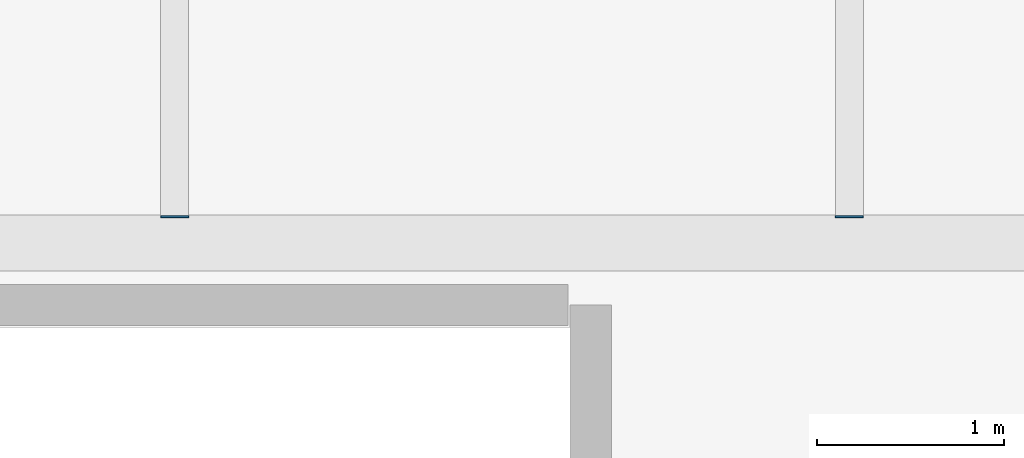
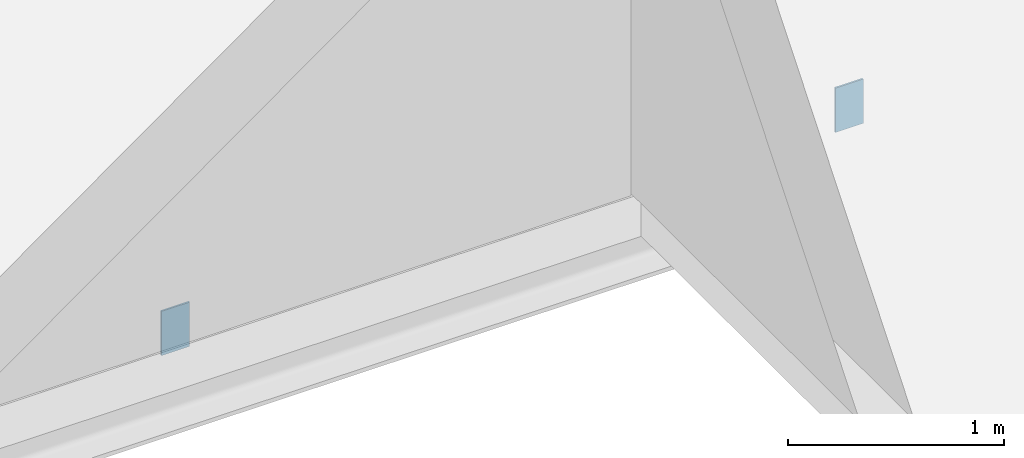
# One storey, part 79 of 100: 2 plates.
"""IFC4 building model written with IfcOpenShell, lengths in metres."""

import ifcopenshell
import ifcopenshell.guid

model = None  # the IFC model being written
_history = None  # IfcOwnerHistory: only IFC2X3 demands one
_inside = {}  # id of a spatial element -> (the spatial element, [elements in it])
_under = {}  # id of a project, library or spatial element -> (it, [spatial elements below it])
_declared = {}  # id of a project -> (the project, [libraries it declares])
_typed = {}  # id of a type object -> (the type object, [elements of that type])
_made_of = {}  # id of a material, layer set ... -> (it, [elements and type objects made of it])


def new_model(schema):
    """Start an empty IFC model of exactly this schema.

    Asked for "IFC4X3", IfcOpenShell would pick the latest addendum, in which some entities
    have other attributes; the version numbers below select the first issue.
    IFC2X3 requires an IfcOwnerHistory on every rooted entity: one is made here for all.
    """
    global model, _history
    if schema == "IFC4X3":
        model = ifcopenshell.file(schema_version=(4, 3, 0, 0))
    else:
        model = ifcopenshell.file(schema=schema)
    _inside.clear()
    _under.clear()
    _declared.clear()
    _typed.clear()
    _made_of.clear()
    _history = None
    if model.schema == "IFC2X3":
        org = make("IfcOrganization", Name="unknown")
        user = make(
            "IfcPersonAndOrganization",
            ThePerson=make("IfcPerson", FamilyName="unknown"),
            TheOrganization=org,
        )
        app = make(
            "IfcApplication",
            ApplicationDeveloper=org,
            Version="unknown",
            ApplicationFullName="unknown",
            ApplicationIdentifier="unknown",
        )
        _history = make(
            "IfcOwnerHistory",
            OwningUser=user,
            OwningApplication=app,
            ChangeAction="ADDED",
            CreationDate=0,
        )
    return model


def make(cls, **values):
    """One entity of the class cls with the attributes given. An attribute that is None is left unset."""
    return model.create_entity(
        cls, **{name: value for name, value in values.items() if value is not None}
    )


def rooted(cls, **values):
    """An entity with a GlobalId (a new one), such as an element, a storey or a relation."""
    return make(cls, GlobalId=ifcopenshell.guid.new(), OwnerHistory=_history, **values)


def si_unit(unit_type, name, prefix=None):
    """IfcSIUnit, for example si_unit("LENGTHUNIT", "METRE", prefix="MILLI")."""
    return make("IfcSIUnit", UnitType=unit_type, Prefix=prefix, Name=name)


def assignment(units):
    """IfcUnitAssignment: the units of a project."""
    return None if units is None else make("IfcUnitAssignment", Units=units)


def point(xyz):
    """IfcCartesianPoint."""
    return None if xyz is None else make("IfcCartesianPoint", Coordinates=xyz)


def direction(xyz):
    """IfcDirection."""
    return None if xyz is None else make("IfcDirection", DirectionRatios=xyz)


def frame(location, z_axis=None, x_axis=None):
    """IfcAxis2Placement3D, a coordinate frame: its origin and axes. An axis left out is left unset."""
    return make(
        "IfcAxis2Placement3D",
        Location=point(location),
        Axis=direction(z_axis),
        RefDirection=direction(x_axis),
    )


def frame_2d(location, x_axis=None):
    """IfcAxis2Placement2D, a coordinate frame in the plane: its origin and x axis."""
    return make(
        "IfcAxis2Placement2D", Location=point(location), RefDirection=direction(x_axis)
    )


def origin():
    """The frame at (0, 0, 0) with its axes left unset."""
    return frame((0.0, 0.0, 0.0))


def origin_2d():
    """The frame at (0, 0) in the plane with its x axis left unset."""
    return frame_2d((0.0, 0.0))


def place(relative_to, where):
    """IfcLocalPlacement: puts the frame where relative to a parent placement (None: the world)."""
    return make(
        "IfcLocalPlacement", PlacementRelTo=relative_to, RelativePlacement=where
    )


def context(
    kind, dimensions, precision=None, world=None, true_north=None, identifier=None
):
    """IfcGeometricRepresentationContext, for example the 3D "Model" context."""
    return make(
        "IfcGeometricRepresentationContext",
        ContextIdentifier=identifier,
        ContextType=kind,
        CoordinateSpaceDimension=dimensions,
        Precision=precision,
        WorldCoordinateSystem=world,
        TrueNorth=true_north,
    )


def subcontext(parent, identifier, kind, view, scale=None):
    """IfcGeometricRepresentationSubContext, for example "Body" below "Model"."""
    return make(
        "IfcGeometricRepresentationSubContext",
        ContextIdentifier=identifier,
        ContextType=kind,
        ParentContext=parent,
        TargetScale=scale,
        TargetView=view,
    )


def project(units=None, contexts=None):
    """IfcProject with its units and contexts."""
    return rooted(
        "IfcProject",
        Name="project",
        RepresentationContexts=contexts,
        UnitsInContext=assignment(units),
    )


def spatial(cls, under=None, at=None, **own):
    """A site, building, storey or space (cls), placed at a placement, below another one or the project."""
    s = rooted(cls, ObjectPlacement=at, **own)
    if under is not None:
        _under.setdefault(under.id(), (under, []))[1].append(s)
    return s


def profile(cls, at=None, kind="AREA", **sizes):
    """A parametric profile (cls). Its sizes go by their IFC names, for example OverallWidth=200.0."""
    return make(cls, ProfileType=kind, Position=at, **sizes)


def rectangle(**sizes):
    """IfcRectangleProfileDef."""
    return profile("IfcRectangleProfileDef", **sizes)


def extrude(swept, where, along, depth):
    """IfcExtrudedAreaSolid: the profile swept, set in the frame where, extruded along a direction by depth."""
    return make(
        "IfcExtrudedAreaSolid",
        SweptArea=swept,
        Position=where,
        ExtrudedDirection=direction(along),
        Depth=depth,
    )


def shape(context_of_items, identifier, shape_type, items):
    """IfcShapeRepresentation: the items that make up one representation, for example the "Body"."""
    return make(
        "IfcShapeRepresentation",
        ContextOfItems=context_of_items,
        RepresentationIdentifier=identifier,
        RepresentationType=shape_type,
        Items=items,
    )


def material(Name=None, Category=None):
    """IfcMaterial."""
    return make("IfcMaterial", Name=Name, Category=Category)


def layer(
    of_material, thickness, ventilated=None, Name=None, Category=None, Priority=None
):
    """IfcMaterialLayer: one layer of a wall or slab, of a material (None: an air gap)."""
    return make(
        "IfcMaterialLayer",
        Material=of_material,
        LayerThickness=thickness,
        IsVentilated=ventilated,
        Name=Name,
        Category=Category,
        Priority=Priority,
    )


def layer_set(layers, Name=None):
    """IfcMaterialLayerSet."""
    return make("IfcMaterialLayerSet", MaterialLayers=layers, LayerSetName=Name)


def made_of(thing, what):
    """Note that an element or type object is made of a material, layer set ...; save() writes the relation."""
    if what is not None:
        _made_of.setdefault(what.id(), (what, []))[1].append(thing)
    return thing


def type_object(cls, material=None, **own):
    """A type object (cls), such as IfcWallType, which elements share."""
    return made_of(rooted(cls, **own), material)


def element(
    cls,
    number,
    at=None,
    inside=None,
    cuts=None,
    type_object=None,
    material=None,
    context=None,
    identifier="Body",
    shape_type=None,
    held_by="IfcProductDefinitionShape",
    body=None,
    shapes=None,
    **own,
):
    """One element of the class cls, such as IfcWall. Its Tag is "e" and its number.

    at: its placement. inside: the storey or other place that contains it. cuts: it is an
    opening in that element (IfcRelVoidsElement). A single representation is given by context,
    identifier, shape_type and body (its items); several are given by shapes. held_by: the class
    of the entity that holds the representations. save() writes the other relations.
    """
    e = rooted(cls, Tag="e%d" % number, ObjectPlacement=at, **own)
    if body is not None:
        shapes = [shape(context, identifier, shape_type, body)]
    if shapes is not None:
        e.Representation = make(held_by, Representations=shapes)
    if inside is not None:
        _inside.setdefault(inside.id(), (inside, []))[1].append(e)
    if cuts is not None:
        rooted(
            "IfcRelVoidsElement", RelatingBuildingElement=cuts, RelatedOpeningElement=e
        )
    if type_object is not None:
        _typed.setdefault(type_object.id(), (type_object, []))[1].append(e)
    return made_of(e, material)


def aggregate(whole, parts):
    """IfcRelAggregates: a whole, such as a stair, and the parts it consists of."""
    return rooted("IfcRelAggregates", RelatingObject=whole, RelatedObjects=parts)


def save(model, path):
    """Write the relations noted so far, then the file.

    IfcRelAggregates (storeys below a building ...), IfcRelContainedInSpatialStructure (elements
    in a storey), IfcRelDefinesByType, IfcRelAssociatesMaterial and IfcRelDeclares: one each for
    every whole, place, type object, material and project.
    """
    for whole, parts in _under.values():
        aggregate(whole, parts)
    for where, things in _inside.values():
        rooted(
            "IfcRelContainedInSpatialStructure",
            RelatedElements=things,
            RelatingStructure=where,
        )
    for kind, things in _typed.values():
        rooted("IfcRelDefinesByType", RelatedObjects=things, RelatingType=kind)
    for what, things in _made_of.values():
        rooted("IfcRelAssociatesMaterial", RelatedObjects=things, RelatingMaterial=what)
    for by, libraries in _declared.values():
        rooted("IfcRelDeclares", RelatingContext=by, RelatedDefinitions=libraries)
    model.write(path)


model = new_model("IFC4")

# Units and contexts
model_context = context("Model", 3, precision=1e-05, world=origin(), true_north=direction((0.0, 1.0)))
body_context = subcontext(model_context, "Body", "Model", "MODEL_VIEW")
ifc_project = project(units=[si_unit("LENGTHUNIT", "METRE"), si_unit("AREAUNIT", "SQUARE_METRE"), si_unit("VOLUMEUNIT", "CUBIC_METRE"), si_unit("PLANEANGLEUNIT", "RADIAN"), si_unit("MASSUNIT", "GRAM", prefix="KILO")], contexts=[model_context])

# Site, building, storey
site_placement = place(None, origin())
site = spatial("IfcSite", under=ifc_project, at=site_placement, CompositionType="ELEMENT")
building_placement = place(site_placement, origin())
building = spatial("IfcBuilding", under=site, at=building_placement, Name="Tasgan Crest Museum", CompositionType="ELEMENT")
storey_placement = place(building_placement, frame((0.0, 0.0, 9.60009765625)))
storey = spatial("IfcBuildingStorey", under=building, at=storey_placement, Name="L02", CompositionType="ELEMENT", Elevation=9.60009765625)

# Plates
ifc_material = material(Name="Steel S355K2", Category="steel")
ifc_layer = layer(ifc_material, 0.14990234375, Name="PL-CAP-10x150x250")
ifc_layer_set = layer_set([ifc_layer], Name="Steel S355K2")
plate_type = type_object("IfcPlateType", Name="PL-CAP-10x150x250", PredefinedType="USERDEFINED", material=ifc_layer_set)
for number, where, z_axis, x_axis, name in (
    (1, (3.60009765625, 102.139892578125, -0.489990234375), (0.0, 0.0, 1.0), (0.0, 1.0, 0.0), "End plate Secondary joist L02 X=3.6 Y=102.0-112.0 end A"),
    (2, (7.199951171875, 102.139892578125, -0.489990234375), (0.0, 0.0, 1.0), (0.0, 1.0, 0.0), "End plate Secondary joist L02 X=7.2 Y=102.0-112.0 end A"),
):
    element("IfcPlate", number, at=place(storey_placement, frame(where, z_axis=z_axis, x_axis=x_axis)), inside=storey, type_object=plate_type, Name=name, ObjectType="END PLATE", PredefinedType="USERDEFINED", context=body_context, shape_type="SweptSolid", body=[
        extrude(rectangle(XDim=0.010009765625, YDim=0.14990234375, at=origin_2d()), origin(), (0.0, 0.0, 1.0), 0.25),
    ])

save(model, "model.ifc")
